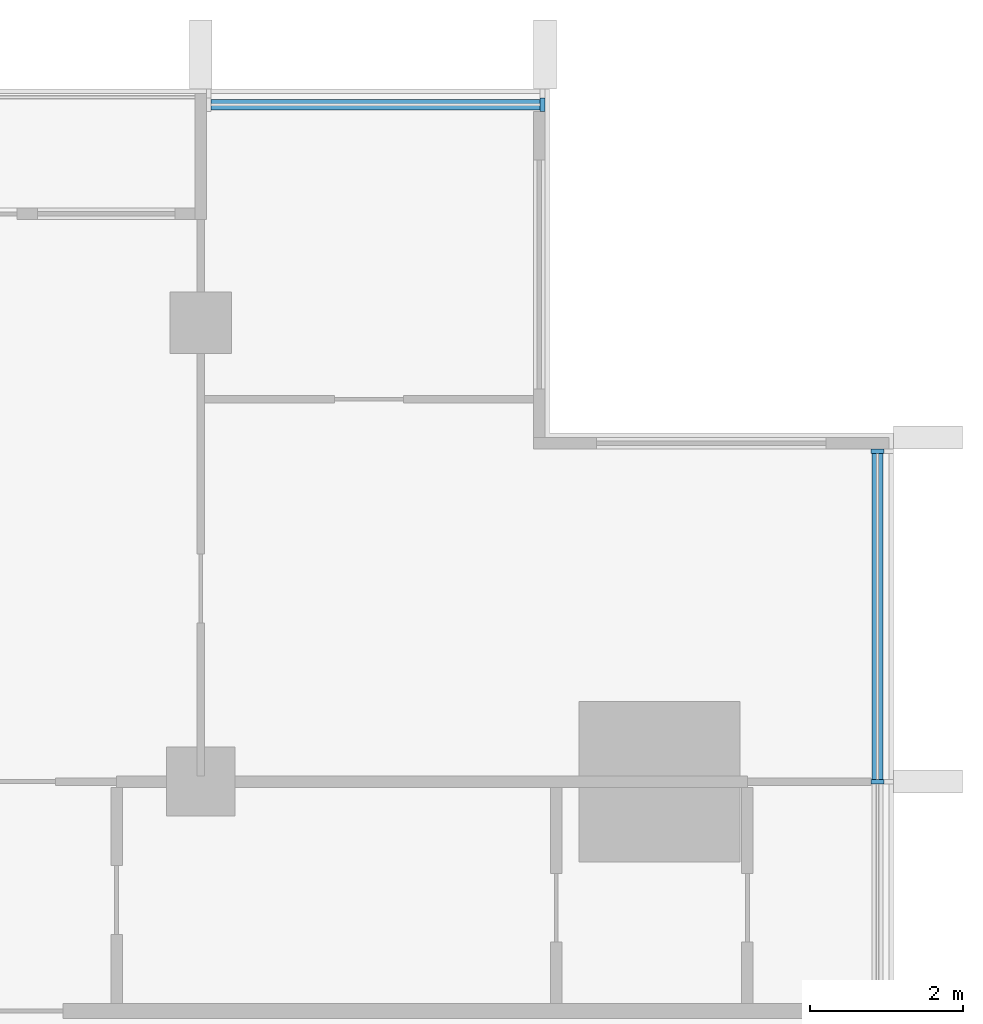
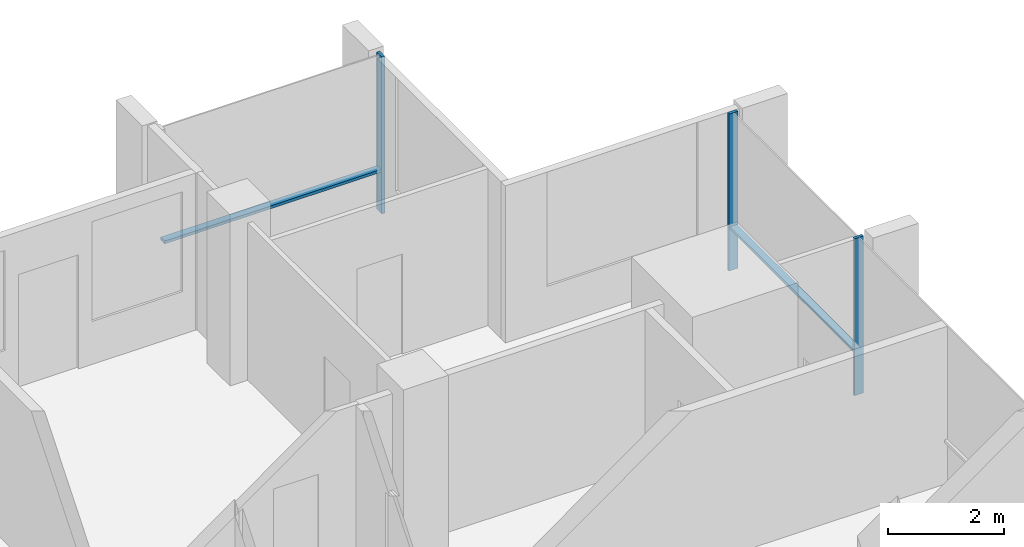
# One storey, part 5 of 16: 5 members, 2 elements without a shape of their own.
"""IFC4 building model written with IfcOpenShell, lengths in metres."""

from ifc_helpers import new_model, si_unit, direction, frame, origin, origin_2d, place, context, subcontext, project, spatial, rectangle, extrude, material, material_profile, profile_set, type_object, element, aggregate, save


model = new_model("IFC4")

# Units and contexts
model_context = context("Model", 3, precision=1e-05, world=origin(), true_north=direction((0.0, 1.0)))
body_context = subcontext(model_context, "Body", "Model", "MODEL_VIEW")
ifc_project = project(units=[si_unit("LENGTHUNIT", "METRE"), si_unit("AREAUNIT", "SQUARE_METRE"), si_unit("VOLUMEUNIT", "CUBIC_METRE"), si_unit("PLANEANGLEUNIT", "RADIAN"), si_unit("MASSUNIT", "GRAM", prefix="KILO")], contexts=[model_context])

# Site, building, storey
site_placement = place(None, origin())
site = spatial("IfcSite", under=ifc_project, at=site_placement, CompositionType="ELEMENT")
building_placement = place(site_placement, origin())
building = spatial("IfcBuilding", under=site, at=building_placement, Name="Finial Court Residences", CompositionType="ELEMENT")
storey_placement = place(building_placement, frame((0.0, 0.0, 219.5)))
storey = spatial("IfcBuildingStorey", under=building, at=storey_placement, Name="L55", CompositionType="ELEMENT", Elevation=219.5)

# Curtain wall, member
ifc_material = material(Name="Bronze anodised aluminium", Category="aluminium")
curtain_wall_type = type_object("IfcCurtainWallType", Name="Unitised curtain wall, upper zones", PredefinedType="NOTDEFINED", material=ifc_material)
curtain_wall_1_placement = place(storey_placement, origin())
curtain_wall_1 = element("IfcCurtainWall", 1, at=curtain_wall_1_placement, inside=storey, type_object=curtain_wall_type, Name="E-L55-CW-N4", PredefinedType="NOTDEFINED")
ifc_material_profile_1 = material_profile(ifc_material, rectangle(XDim=0.175048828125, YDim=0.06005859375, at=origin_2d()), Name="CW2 mullion 60 x 175")
ifc_profile_set_1 = profile_set([ifc_material_profile_1], Name="Bronze anodised aluminium")
member_type_1 = type_object("IfcMemberType", Name="CW2 mullion 60 x 175", PredefinedType="MULLION", material=ifc_profile_set_1)
member_1_placement = place(storey_placement, frame((14.969970703125, 16.35009765625, 0.0), z_axis=(0.0, 0.0, 1.0), x_axis=(0.0, 1.0, 0.0)))
member_1 = element("IfcMember", 2, at=member_1_placement, type_object=member_type_1, Name="CW2 mullion 2", PredefinedType="MULLION", context=body_context, shape_type="SweptSolid", body=[
    extrude(rectangle(XDim=0.175048828125, YDim=0.06005859375, at=origin_2d()), origin(), (0.0, 0.0, 1.0), 3.300048828125),
])

# Curtain wall, members
curtain_wall_2_placement = place(storey_placement, origin())
curtain_wall_2 = element("IfcCurtainWall", 3, at=curtain_wall_2_placement, inside=storey, type_object=curtain_wall_type, Name="E-L55-CW-E7", PredefinedType="NOTDEFINED")
member_2_placement = place(storey_placement, frame((19.35009765625, 7.5, 0.0), z_axis=(0.0, 0.0, 1.0), x_axis=(-1.0, 0.0, 0.0)))
member_2 = element("IfcMember", 4, at=member_2_placement, type_object=member_type_1, Name="CW2 mullion 2", PredefinedType="MULLION", context=body_context, shape_type="SweptSolid", body=[
    extrude(rectangle(XDim=0.175048828125, YDim=0.06005859375, at=origin_2d()), origin(), (0.0, 0.0, 1.0), 3.300048828125),
])
member_3_placement = place(storey_placement, frame((19.35009765625, 11.820068359375, 0.0), z_axis=(0.0, 0.0, 1.0), x_axis=(-1.0, 0.0, 0.0)))
member_3 = element("IfcMember", 5, at=member_3_placement, type_object=member_type_1, Name="CW2 mullion 3", PredefinedType="MULLION", context=body_context, shape_type="SweptSolid", body=[
    extrude(rectangle(XDim=0.175048828125, YDim=0.06005859375, at=origin_2d()), origin(), (0.0, 0.0, 1.0), 3.300048828125),
])

# Member
ifc_material_profile_2 = material_profile(ifc_material, rectangle(XDim=0.139892578125, YDim=0.06005859375, at=origin_2d()), Name="CW2 transom 60 x 140")
ifc_profile_set_2 = profile_set([ifc_material_profile_2], Name="Bronze anodised aluminium")
member_type_2 = type_object("IfcMemberType", Name="CW2 transom 60 x 140", PredefinedType="USERDEFINED", material=ifc_profile_set_2)
member_4_placement = place(storey_placement, frame((10.635009765625, 16.35009765625, 0.89990234375), z_axis=(1.0, 0.0, 0.0), x_axis=(0.0, 1.0, 0.0)))
member_4 = element("IfcMember", 6, at=member_4_placement, type_object=member_type_2, Name="CW2 transom 1.1", ObjectType="TRANSOM", PredefinedType="USERDEFINED", context=body_context, shape_type="SweptSolid", body=[
    extrude(rectangle(XDim=0.139892578125, YDim=0.06005859375, at=origin_2d()), origin(), (0.0, 0.0, 1.0), 4.304931640625),
])

aggregate(curtain_wall_1, [member_1, member_4])

member_5_placement = place(storey_placement, frame((19.35009765625, 7.530029296875, 0.89990234375), z_axis=(0.0, 1.0, 0.0), x_axis=(-1.0, 0.0, 0.0)))
member_5 = element("IfcMember", 7, at=member_5_placement, type_object=member_type_2, Name="CW2 transom 2.1", ObjectType="TRANSOM", PredefinedType="USERDEFINED", context=body_context, shape_type="SweptSolid", body=[
    extrude(rectangle(XDim=0.139892578125, YDim=0.06005859375, at=origin_2d()), origin(), (0.0, 0.0, 1.0), 4.260009765625),
])

aggregate(curtain_wall_2, [member_2, member_3, member_5])

save(model, "model.ifc")
